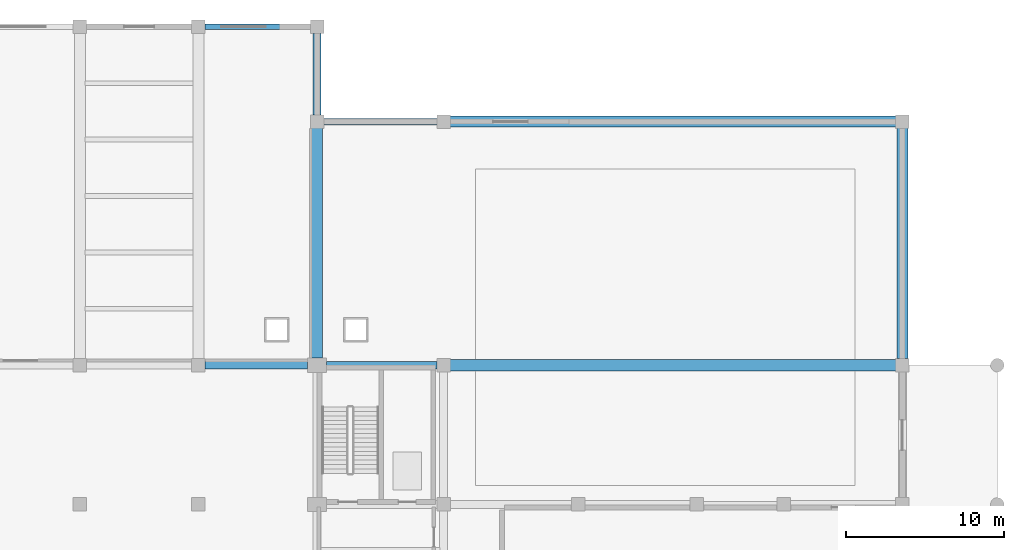
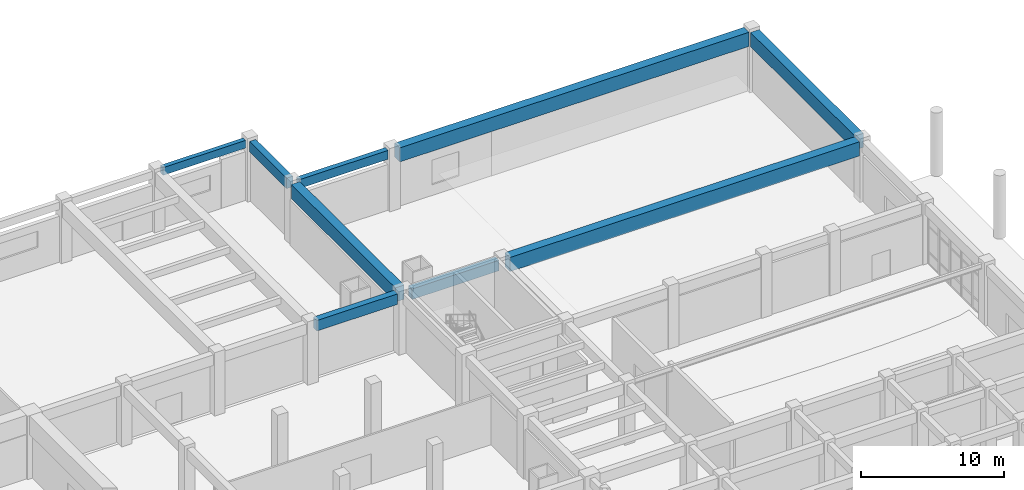
# One storey, part 51 of 84: 9 beams.
"""IFC4 building model written with IfcOpenShell, lengths in metres."""

from ifc_helpers import new_model, si_unit, direction, frame, origin, origin_2d, place, context, subcontext, project, spatial, rectangle, extrude, material, material_profile, profile_set, type_object, element, save


model = new_model("IFC4")

# Units and contexts
model_context = context("Model", 3, precision=1e-05, world=origin(), true_north=direction((0.0, 1.0)))
body_context = subcontext(model_context, "Body", "Model", "MODEL_VIEW")
ifc_project = project(units=[si_unit("LENGTHUNIT", "METRE"), si_unit("AREAUNIT", "SQUARE_METRE"), si_unit("VOLUMEUNIT", "CUBIC_METRE"), si_unit("PLANEANGLEUNIT", "RADIAN"), si_unit("MASSUNIT", "GRAM", prefix="KILO")], contexts=[model_context])

# Site, building, storey
site_placement = place(None, origin())
site = spatial("IfcSite", under=ifc_project, at=site_placement, CompositionType="ELEMENT")
building_placement = place(site_placement, origin())
building = spatial("IfcBuilding", under=site, at=building_placement, Name="Muzn Square Opera House", CompositionType="ELEMENT")
storey_placement = place(building_placement, origin())
storey = spatial("IfcBuildingStorey", under=building, at=storey_placement, Name="L00", CompositionType="ELEMENT", Elevation=0.0)

# Beams
ifc_material = material(Name="Concrete C40/50", Category="concrete")
ifc_material_profile_1 = material_profile(ifc_material, rectangle(XDim=0.5, YDim=0.89990234375, at=origin_2d()), Name="RCB 500x900", Category="concrete")
ifc_profile_set_1 = profile_set([ifc_material_profile_1], Name="Concrete C40/50")
beam_type_1 = type_object("IfcBeamType", Name="Primary Girder 500x900", PredefinedType="BEAM", material=ifc_profile_set_1)
beam_1_placement = place(storey_placement, frame((125.9169921875, 98.60009765625, 4.669921875), z_axis=(1.0, 0.0, 0.0), x_axis=(0.0, 1.0, 0.0)))
element("IfcBeam", 1, at=beam_1_placement, inside=storey, type_object=beam_type_1, Name="Primary Girder BM-L00-BM-PG900-1259_986_1324_986-935", PredefinedType="BEAM", context=body_context, shape_type="SweptSolid", body=[
    extrude(rectangle(XDim=0.5, YDim=0.89990234375, at=origin_2d()), origin(), (0.0, 0.0, 1.0), 6.490966796875),
])
beam_2_placement = place(storey_placement, frame((133.592041015625, 98.60009765625, 4.669921875), z_axis=(1.0, 0.0, 0.0), x_axis=(0.0, 1.0, 0.0)))
element("IfcBeam", 2, at=beam_2_placement, inside=storey, type_object=beam_type_1, Name="Primary Girder BM-L00-BM-PG900-1336_986_1406_986-936", PredefinedType="BEAM", context=body_context, shape_type="SweptSolid", body=[
    extrude(rectangle(XDim=0.5, YDim=0.89990234375, at=origin_2d()), origin(), (0.0, 0.0, 1.0), 6.990966796875),
])
beam_3_placement = place(storey_placement, frame((133.0, 114.4169921875, 4.669921875), z_axis=(0.0, 1.0, 0.0), x_axis=(-1.0, 0.0, 0.0)))
element("IfcBeam", 3, at=beam_3_placement, inside=storey, type_object=beam_type_1, Name="Primary Girder BM-N114-L00-010", PredefinedType="BEAM", context=body_context, shape_type="SweptSolid", body=[
    extrude(rectangle(XDim=0.5, YDim=0.89990234375, at=origin_2d()), origin(), (0.0, 0.0, 1.0), 5.166015625),
])
ifc_material_profile_2 = material_profile(ifc_material, rectangle(XDim=0.699951171875, YDim=1.199951171875, at=origin_2d()), Name="RCB 700x1200", Category="concrete")
ifc_profile_set_2 = profile_set([ifc_material_profile_2], Name="Concrete C40/50")
beam_type_2 = type_object("IfcBeamType", Name="Primary Girder 700x1200", PredefinedType="BEAM", material=ifc_profile_set_2)
for number, where, z_axis, x_axis, name in (
    (4, (141.4169921875, 98.60009765625, 4.52001953125), (1.0, 0.0, 0.0), (0.0, 1.0, 0.0), "Primary Girder BM-L00-BM-PG1200-1414_986_1696_986-937"),
    (5, (141.4169921875, 114.0, 4.52001953125), (1.0, 0.0, 0.0), (0.0, 1.0, 0.0), "Spandrel Beam BM-N114-L00-007"),
):
    element("IfcBeam", number, at=place(storey_placement, frame(where, z_axis=z_axis, x_axis=x_axis)), inside=storey, type_object=beam_type_2, Name=name, PredefinedType="BEAM", context=body_context, shape_type="SweptSolid", body=[
        extrude(rectangle(XDim=0.699951171875, YDim=1.199951171875, at=origin_2d()), origin(), (0.0, 0.0, 1.0), 28.166015625),
    ])
beam_4_placement = place(storey_placement, frame((133.0, 99.0419921875, 4.52001953125), z_axis=(0.0, 1.0, 0.0), x_axis=(-1.0, 0.0, 0.0)))
element("IfcBeam", 6, at=beam_4_placement, inside=storey, type_object=beam_type_2, Name="Primary Girder BM-N114-L00-008", PredefinedType="BEAM", context=body_context, shape_type="SweptSolid", body=[
    extrude(rectangle(XDim=0.699951171875, YDim=1.199951171875, at=origin_2d()), origin(), (0.0, 0.0, 1.0), 14.541015625),
])
beam_5_placement = place(storey_placement, frame((170.0, 99.01708984375, 4.52001953125), z_axis=(0.0, 1.0, 0.0), x_axis=(-1.0, 0.0, 0.0)))
element("IfcBeam", 7, at=beam_5_placement, inside=storey, type_object=beam_type_2, Name="Primary Girder BM-N114-L00-009", PredefinedType="BEAM", context=body_context, shape_type="SweptSolid", body=[
    extrude(rectangle(XDim=0.699951171875, YDim=1.199951171875, at=origin_2d()), origin(), (0.0, 0.0, 1.0), 14.56591796875),
])
ifc_material_profile_3 = material_profile(ifc_material, rectangle(XDim=0.35009765625, YDim=0.64990234375, at=origin_2d()), Name="RCS 350x650", Category="concrete")
ifc_profile_set_3 = profile_set([ifc_material_profile_3], Name="Concrete C40/50")
beam_type_3 = type_object("IfcBeamType", Name="Spandrel Beam 350x650", PredefinedType="SPANDREL", material=ifc_profile_set_3)
beam_6_placement = place(storey_placement, frame((125.9169921875, 120.0, 4.794921875), z_axis=(1.0, 0.0, 0.0), x_axis=(0.0, 1.0, 0.0)))
element("IfcBeam", 8, at=beam_6_placement, inside=storey, type_object=beam_type_3, Name="Spandrel Beam BM-L00-BM-SP650-1259_1200_1326_1200-951", PredefinedType="SPANDREL", context=body_context, shape_type="SweptSolid", body=[
    extrude(rectangle(XDim=0.35009765625, YDim=0.64990234375, at=origin_2d()), origin(), (0.0, 0.0, 1.0), 6.666015625),
])
ifc_material_profile_4 = material_profile(ifc_material, rectangle(XDim=0.39990234375, YDim=0.75, at=origin_2d()), Name="RCS 400x750", Category="concrete")
ifc_profile_set_4 = profile_set([ifc_material_profile_4], Name="Concrete C40/50")
beam_type_4 = type_object("IfcBeamType", Name="Spandrel Beam 400x750", PredefinedType="SPANDREL", material=ifc_profile_set_4)
beam_7_placement = place(storey_placement, frame((133.4169921875, 114.0, 4.7451171875), z_axis=(1.0, 0.0, 0.0), x_axis=(0.0, 1.0, 0.0)))
element("IfcBeam", 9, at=beam_7_placement, inside=storey, type_object=beam_type_4, Name="Spandrel Beam BM-N114-L00-006", PredefinedType="SPANDREL", context=body_context, shape_type="SweptSolid", body=[
    extrude(rectangle(XDim=0.39990234375, YDim=0.75, at=origin_2d()), origin(), (0.0, 0.0, 1.0), 7.166015625),
])

save(model, "model.ifc")
